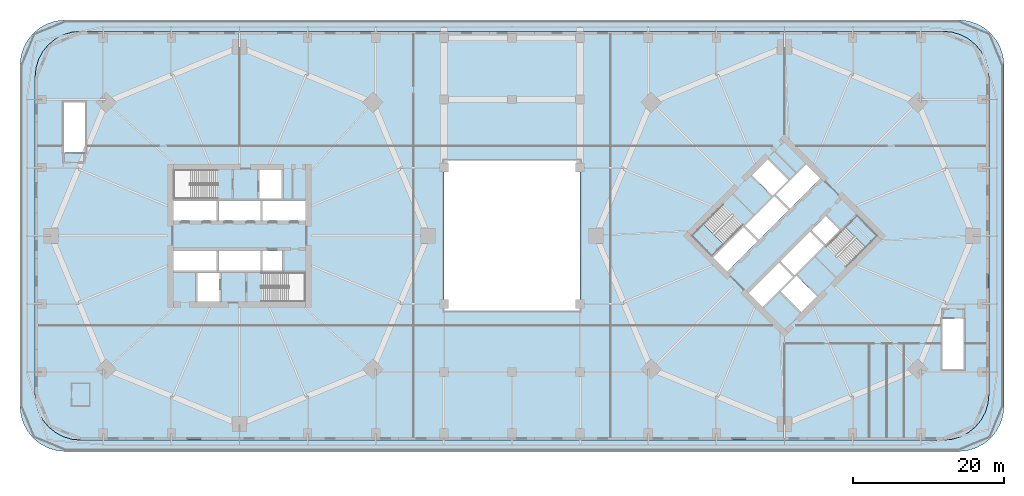
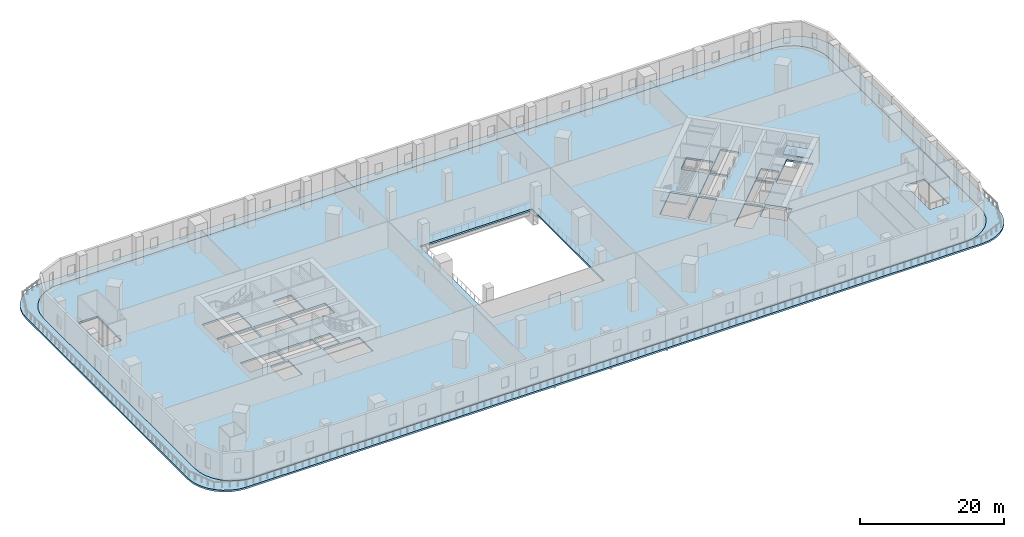
# One storey, part 3 of 16: 4 slabs, 2 elements without a shape of their own.
"""IFC4 building model written with IfcOpenShell, lengths in metres."""

from ifc_helpers import new_model, si_unit, direction, frame, origin, place, context, subcontext, project, spatial, polyline, outline, extrude, material, layer, layer_set, type_object, element, aggregate, save


model = new_model("IFC4")

# Units and contexts
model_context = context("Model", 3, precision=1e-05, world=origin(), true_north=direction((0.0, 1.0)))
body_context = subcontext(model_context, "Body", "Model", "MODEL_VIEW")
ifc_project = project(units=[si_unit("LENGTHUNIT", "METRE"), si_unit("AREAUNIT", "SQUARE_METRE"), si_unit("VOLUMEUNIT", "CUBIC_METRE"), si_unit("PLANEANGLEUNIT", "RADIAN"), si_unit("MASSUNIT", "GRAM", prefix="KILO")], contexts=[model_context])

# Site, building, storey
site_placement = place(None, origin())
site = spatial("IfcSite", under=ifc_project, at=site_placement, CompositionType="ELEMENT")
building_placement = place(site_placement, origin())
building = spatial("IfcBuilding", under=site, at=building_placement, Name="Ogive Gate Towers", CompositionType="ELEMENT")
storey_placement = place(building_placement, frame((0.0, 0.0, 22.800048828125)))
storey = spatial("IfcBuildingStorey", under=building, at=storey_placement, Name="L04", CompositionType="ELEMENT", Elevation=22.800048828125)

# Slab
ifc_material_1 = material(Name="Concrete C35/45", Category="concrete")
ifc_layer_1 = layer(ifc_material_1, 0.300048828125)
ifc_layer_set_1 = layer_set([ifc_layer_1], Name="Floor slab 300")
slab_type_1 = type_object("IfcSlabType", Name="Floor slab 300", PredefinedType="FLOOR", material=ifc_layer_set_1)
slab_1_placement = place(storey_placement, frame((0.0, 0.0, -0.300048828125)))
element("IfcSlab", 1, at=slab_1_placement, inside=storey, type_object=slab_type_1, Name="PD/L04/SSL001", PredefinedType="FLOOR", context=body_context, shape_type="SweptSolid", body=[
    extrude(outline(polyline([(61.24267578125, 25.24267578125), (60.33349609375, 25.98876953125), (59.296142578125, 26.543212890625), (58.170654296875, 26.884765625), (57.0, 27.0), (-57.0, 27.0), (-58.170654296875, 26.884765625), (-59.296142578125, 26.543212890625), (-60.33349609375, 25.98876953125), (-61.24267578125, 25.24267578125), (-61.98876953125, 24.33349609375), (-62.543212890625, 23.296142578125), (-62.884765625, 22.170654296875), (-63.0, 21.0), (-63.0, -21.0), (-62.884765625, -22.170654296875), (-62.543212890625, -23.296142578125), (-61.98876953125, -24.33349609375), (-61.24267578125, -25.24267578125), (-60.33349609375, -25.98876953125), (-59.296142578125, -26.543212890625), (-58.170654296875, -26.884765625), (-57.0, -27.0), (57.0, -27.0), (58.170654296875, -26.884765625), (59.296142578125, -26.543212890625), (60.33349609375, -25.98876953125), (61.24267578125, -25.24267578125), (61.98876953125, -24.33349609375), (62.543212890625, -23.296142578125), (62.884765625, -22.170654296875), (63.0, -21.0), (63.0, 21.0), (62.884765625, 22.170654296875), (62.543212890625, 23.296142578125), (61.98876953125, 24.33349609375), (61.24267578125, 25.24267578125)]), holes=[polyline([(-9.0, 10.0), (9.0, 10.0), (9.0, -10.0), (-9.0, -10.0), (-9.0, 10.0)]), polyline([(-56.300048828125, 10.965087890625), (-59.35009765625, 10.965087890625), (-59.35009765625, 17.719970703125), (-56.300048828125, 17.719970703125), (-56.300048828125, 10.965087890625)]), polyline([(59.800048828125, -10.965087890625), (59.800048828125, -17.719970703125), (56.75, -17.719970703125), (56.75, -10.965087890625), (59.800048828125, -10.965087890625)]), polyline([(-39.02490234375, 2.0), (-44.699951171875, 2.0), (-44.699951171875, 4.625), (-39.02490234375, 4.625), (-39.02490234375, 2.0)]), polyline([(-38.77490234375, 4.625), (-33.22509765625, 4.625), (-33.22509765625, 2.0), (-38.77490234375, 2.0), (-38.77490234375, 4.625)]), polyline([(-27.300048828125, 2.0), (-32.97509765625, 2.0), (-32.97509765625, 4.625), (-27.300048828125, 4.625), (-27.300048828125, 2.0)]), polyline([(-44.699951171875, -2.0), (-39.02490234375, -2.0), (-39.02490234375, -4.625), (-44.699951171875, -4.625), (-44.699951171875, -2.0)]), polyline([(-33.22509765625, -4.625), (-38.77490234375, -4.625), (-38.77490234375, -2.0), (-33.22509765625, -2.0), (-33.22509765625, -4.625)]), polyline([(-32.97509765625, -2.0), (-30.324951171875, -2.0), (-30.324951171875, -4.625), (-32.97509765625, -4.625), (-32.97509765625, -2.0)]), polyline([(-30.425048828125, 4.875), (-33.375, 4.875), (-33.375, 8.699951171875), (-30.425048828125, 8.699951171875), (-30.425048828125, 4.875)]), polyline([(-41.574951171875, -4.875), (-38.625, -4.875), (-38.625, -8.699951171875), (-41.574951171875, -8.699951171875), (-41.574951171875, -4.875)]), polyline([(-44.699951171875, 8.699951171875), (-38.885009765625, 8.699951171875), (-38.885009765625, 4.875), (-44.699951171875, 4.875), (-44.699951171875, 8.699951171875)]), polyline([(-33.114990234375, -4.875), (-27.300048828125, -4.875), (-27.300048828125, -8.699951171875), (-33.114990234375, -8.699951171875), (-33.114990234375, -4.875)]), polyline([(26.577880859375, -2.88134765625), (30.590576171875, 1.13134765625), (32.44677734375, -0.724853515625), (28.433837890625, -4.737548828125), (26.577880859375, -2.88134765625)]), polyline([(36.548095703125, 3.37646484375), (32.62353515625, -0.548095703125), (30.767333984375, 1.30810546875), (34.69189453125, 5.232666015625), (36.548095703125, 3.37646484375)]), polyline([(34.86865234375, 5.409423828125), (38.88134765625, 9.422119140625), (40.737548828125, 7.566162109375), (36.724853515625, 3.55322265625), (34.86865234375, 5.409423828125)]), polyline([(37.13134765625, -5.409423828125), (33.11865234375, -9.422119140625), (31.262451171875, -7.566162109375), (35.275146484375, -3.55322265625), (37.13134765625, -5.409423828125)]), polyline([(35.451904296875, -3.37646484375), (39.37646484375, 0.548095703125), (41.232666015625, -1.30810546875), (37.30810546875, -5.232666015625), (35.451904296875, -3.37646484375)]), polyline([(43.283203125, 0.742431640625), (41.409423828125, -1.13134765625), (39.55322265625, 0.724853515625), (41.427001953125, 2.5986328125), (43.283203125, 0.742431640625)]), polyline([(31.704345703125, 8.008056640625), (33.790283203125, 10.093994140625), (36.494873046875, 7.38916015625), (34.408935546875, 5.30322265625), (31.704345703125, 8.008056640625)]), polyline([(40.295654296875, -8.008056640625), (38.209716796875, -10.093994140625), (35.505126953125, -7.38916015625), (37.591064453125, -5.30322265625), (40.295654296875, -8.008056640625)]), polyline([(30.512939453125, 1.4072265625), (26.401123046875, -2.70458984375), (23.6962890625, 0.0), (27.80810546875, 4.11181640625), (30.512939453125, 1.4072265625)]), polyline([(48.3037109375, 0.0), (44.19189453125, -4.11181640625), (41.487060546875, -1.4072265625), (45.598876953125, 2.70458984375), (48.3037109375, 0.0)])]), origin(), (0.0, 0.0, 1.0), 0.300048828125),
])

# Stair, slab
ifc_material_2 = material(Name="Concrete C40/50", Category="concrete")
stair_type = type_object("IfcStairType", Name="Escape stair 1840 wide", PredefinedType="HALF_TURN_STAIR", material=ifc_material_2)
stair_1_placement = place(storey_placement, origin())
stair_1 = element("IfcStair", 2, at=stair_1_placement, inside=storey, type_object=stair_type, Name="L04 Escape stair 1", PredefinedType="HALF_TURN_STAIR")
ifc_layer_2 = layer(ifc_material_2, 0.199951171875)
ifc_layer_set_2 = layer_set([ifc_layer_2], Name="Stair landing 200 mm")
slab_type_2 = type_object("IfcSlabType", Name="Stair landing 200 mm", PredefinedType="LANDING", material=ifc_layer_set_2)
slab_2_placement = place(storey_placement, frame((0.0, 0.0, 2.199951171875)))
slab_2 = element("IfcSlab", 3, at=slab_2_placement, type_object=slab_type_2, Name="ST1 landing 1", PredefinedType="LANDING", context=body_context, shape_type="SweptSolid", body=[
    extrude(outline(polyline([(25.24853515625, 1.552001953125), (23.6962890625, 0.0), (26.401123046875, -2.70458984375), (27.953125, -1.152587890625), (25.24853515625, 1.552001953125)])), origin(), (0.0, 0.0, 1.0), 0.199951171875),
])
aggregate(stair_1, [slab_2])

stair_2_placement = place(storey_placement, origin())
stair_2 = element("IfcStair", 4, at=stair_2_placement, inside=storey, type_object=stair_type, Name="L04 Escape stair 2", PredefinedType="HALF_TURN_STAIR")
slab_3_placement = place(storey_placement, frame((0.0, 0.0, 2.199951171875)))
slab_3 = element("IfcSlab", 5, at=slab_3_placement, type_object=slab_type_2, Name="ST2 landing 1", PredefinedType="LANDING", context=body_context, shape_type="SweptSolid", body=[
    extrude(outline(polyline([(46.75146484375, -1.552001953125), (48.3037109375, 0.0), (45.598876953125, 2.70458984375), (44.046875, 1.152587890625), (46.75146484375, -1.552001953125)])), origin(), (0.0, 0.0, 1.0), 0.199951171875),
])
aggregate(stair_2, [slab_3])

# Slab
ifc_layer_3 = layer(ifc_material_1, 0.300048828125)
ifc_layer_set_3 = layer_set([ifc_layer_3], Name="Terrace slab 300")
slab_type_3 = type_object("IfcSlabType", Name="Terrace slab 300", PredefinedType="FLOOR", material=ifc_layer_set_3)
slab_4_placement = place(storey_placement, frame((0.0, 0.0, -0.300048828125)))
element("IfcSlab", 6, at=slab_4_placement, inside=storey, type_object=slab_type_3, Name="PD/L04/SSL002", PredefinedType="FLOOR", context=body_context, shape_type="SweptSolid", body=[
    extrude(outline(polyline([(-59.0, -28.5), (59.0, -28.5), (60.170654296875, -28.384765625), (61.296142578125, -28.043212890625), (62.33349609375, -27.48876953125), (63.24267578125, -26.74267578125), (63.98876953125, -25.83349609375), (64.543212890625, -24.796142578125), (64.884765625, -23.670654296875), (65.0, -22.5), (65.0, 22.5), (64.884765625, 23.670654296875), (64.543212890625, 24.796142578125), (63.98876953125, 25.83349609375), (63.24267578125, 26.74267578125), (62.33349609375, 27.48876953125), (61.296142578125, 28.043212890625), (60.170654296875, 28.384765625), (59.0, 28.5), (-59.0, 28.5), (-60.170654296875, 28.384765625), (-61.296142578125, 28.043212890625), (-62.33349609375, 27.48876953125), (-63.24267578125, 26.74267578125), (-63.98876953125, 25.83349609375), (-64.543212890625, 24.796142578125), (-64.884765625, 23.670654296875), (-65.0, 22.5), (-65.0, -22.5), (-64.884765625, -23.670654296875), (-64.543212890625, -24.796142578125), (-63.98876953125, -25.83349609375), (-63.24267578125, -26.74267578125), (-62.33349609375, -27.48876953125), (-61.296142578125, -28.043212890625), (-60.170654296875, -28.384765625), (-59.0, -28.5)]), holes=[polyline([(58.170654296875, -26.884765625), (57.0, -27.0), (-57.0, -27.0), (-58.170654296875, -26.884765625), (-59.296142578125, -26.543212890625), (-60.33349609375, -25.98876953125), (-61.24267578125, -25.24267578125), (-61.98876953125, -24.33349609375), (-62.543212890625, -23.296142578125), (-62.884765625, -22.170654296875), (-63.0, -21.0), (-63.0, 21.0), (-62.884765625, 22.170654296875), (-62.543212890625, 23.296142578125), (-61.98876953125, 24.33349609375), (-61.24267578125, 25.24267578125), (-60.33349609375, 25.98876953125), (-59.296142578125, 26.543212890625), (-58.170654296875, 26.884765625), (-57.0, 27.0), (57.0, 27.0), (58.170654296875, 26.884765625), (59.296142578125, 26.543212890625), (60.33349609375, 25.98876953125), (61.24267578125, 25.24267578125), (61.98876953125, 24.33349609375), (62.543212890625, 23.296142578125), (62.884765625, 22.170654296875), (63.0, 21.0), (63.0, -21.0), (62.884765625, -22.170654296875), (62.543212890625, -23.296142578125), (61.98876953125, -24.33349609375), (61.24267578125, -25.24267578125), (60.33349609375, -25.98876953125), (59.296142578125, -26.543212890625), (58.170654296875, -26.884765625)])]), origin(), (0.0, 0.0, 1.0), 0.300048828125),
])

save(model, "model.ifc")
